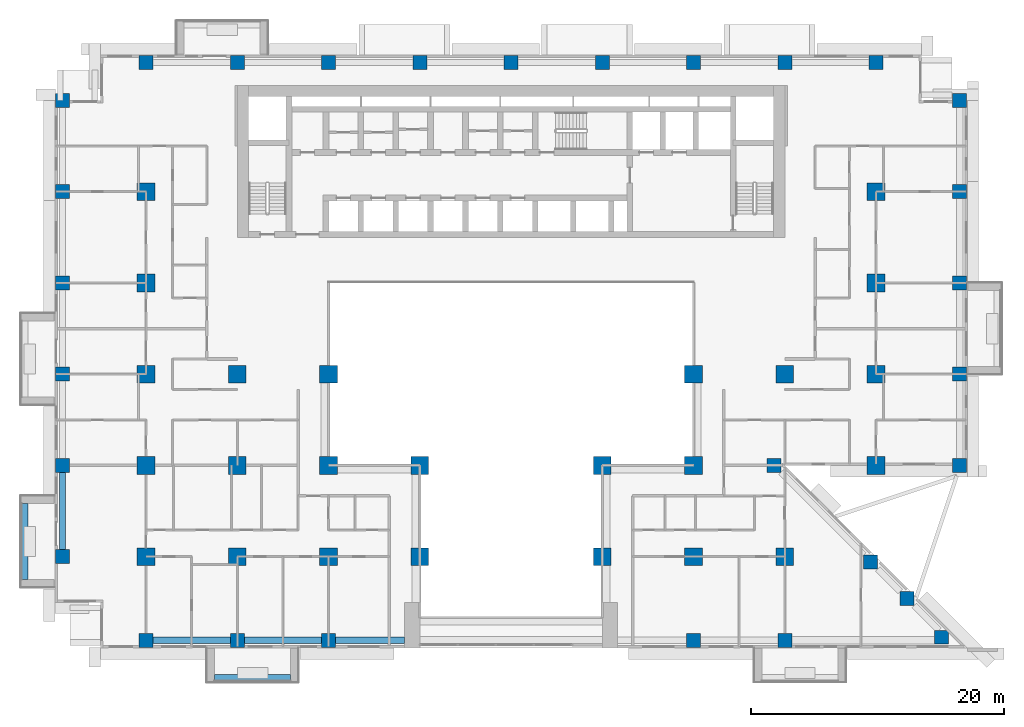
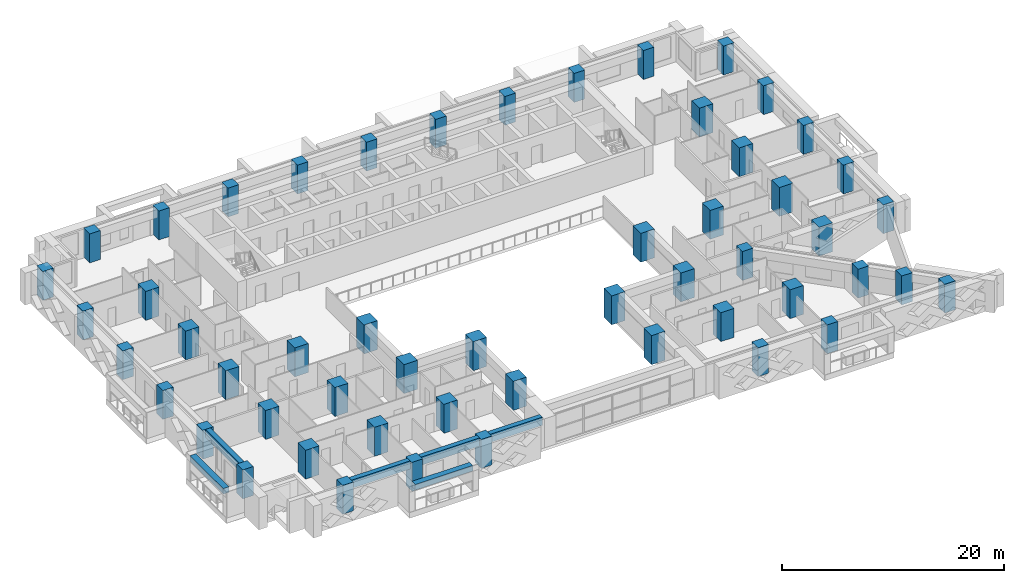
# One storey, part 1 of 17: 53 columns, 6 beams.
"""IFC4 building model written with IfcOpenShell, lengths in metres."""

import ifcopenshell
import ifcopenshell.guid

model = None  # the IFC model being written
_history = None  # IfcOwnerHistory: only IFC2X3 demands one
_inside = {}  # id of a spatial element -> (the spatial element, [elements in it])
_under = {}  # id of a project, library or spatial element -> (it, [spatial elements below it])
_declared = {}  # id of a project -> (the project, [libraries it declares])
_typed = {}  # id of a type object -> (the type object, [elements of that type])
_made_of = {}  # id of a material, layer set ... -> (it, [elements and type objects made of it])


def new_model(schema):
    """Start an empty IFC model of exactly this schema.

    Asked for "IFC4X3", IfcOpenShell would pick the latest addendum, in which some entities
    have other attributes; the version numbers below select the first issue.
    IFC2X3 requires an IfcOwnerHistory on every rooted entity: one is made here for all.
    """
    global model, _history
    if schema == "IFC4X3":
        model = ifcopenshell.file(schema_version=(4, 3, 0, 0))
    else:
        model = ifcopenshell.file(schema=schema)
    _inside.clear()
    _under.clear()
    _declared.clear()
    _typed.clear()
    _made_of.clear()
    _history = None
    if model.schema == "IFC2X3":
        org = make("IfcOrganization", Name="unknown")
        user = make(
            "IfcPersonAndOrganization",
            ThePerson=make("IfcPerson", FamilyName="unknown"),
            TheOrganization=org,
        )
        app = make(
            "IfcApplication",
            ApplicationDeveloper=org,
            Version="unknown",
            ApplicationFullName="unknown",
            ApplicationIdentifier="unknown",
        )
        _history = make(
            "IfcOwnerHistory",
            OwningUser=user,
            OwningApplication=app,
            ChangeAction="ADDED",
            CreationDate=0,
        )
    return model


def make(cls, **values):
    """One entity of the class cls with the attributes given. An attribute that is None is left unset."""
    return model.create_entity(
        cls, **{name: value for name, value in values.items() if value is not None}
    )


def rooted(cls, **values):
    """An entity with a GlobalId (a new one), such as an element, a storey or a relation."""
    return make(cls, GlobalId=ifcopenshell.guid.new(), OwnerHistory=_history, **values)


def si_unit(unit_type, name, prefix=None):
    """IfcSIUnit, for example si_unit("LENGTHUNIT", "METRE", prefix="MILLI")."""
    return make("IfcSIUnit", UnitType=unit_type, Prefix=prefix, Name=name)


def assignment(units):
    """IfcUnitAssignment: the units of a project."""
    return None if units is None else make("IfcUnitAssignment", Units=units)


def point(xyz):
    """IfcCartesianPoint."""
    return None if xyz is None else make("IfcCartesianPoint", Coordinates=xyz)


def direction(xyz):
    """IfcDirection."""
    return None if xyz is None else make("IfcDirection", DirectionRatios=xyz)


def frame(location, z_axis=None, x_axis=None):
    """IfcAxis2Placement3D, a coordinate frame: its origin and axes. An axis left out is left unset."""
    return make(
        "IfcAxis2Placement3D",
        Location=point(location),
        Axis=direction(z_axis),
        RefDirection=direction(x_axis),
    )


def frame_2d(location, x_axis=None):
    """IfcAxis2Placement2D, a coordinate frame in the plane: its origin and x axis."""
    return make(
        "IfcAxis2Placement2D", Location=point(location), RefDirection=direction(x_axis)
    )


def origin():
    """The frame at (0, 0, 0) with its axes left unset."""
    return frame((0.0, 0.0, 0.0))


def origin_2d():
    """The frame at (0, 0) in the plane with its x axis left unset."""
    return frame_2d((0.0, 0.0))


def place(relative_to, where):
    """IfcLocalPlacement: puts the frame where relative to a parent placement (None: the world)."""
    return make(
        "IfcLocalPlacement", PlacementRelTo=relative_to, RelativePlacement=where
    )


def context(
    kind, dimensions, precision=None, world=None, true_north=None, identifier=None
):
    """IfcGeometricRepresentationContext, for example the 3D "Model" context."""
    return make(
        "IfcGeometricRepresentationContext",
        ContextIdentifier=identifier,
        ContextType=kind,
        CoordinateSpaceDimension=dimensions,
        Precision=precision,
        WorldCoordinateSystem=world,
        TrueNorth=true_north,
    )


def subcontext(parent, identifier, kind, view, scale=None):
    """IfcGeometricRepresentationSubContext, for example "Body" below "Model"."""
    return make(
        "IfcGeometricRepresentationSubContext",
        ContextIdentifier=identifier,
        ContextType=kind,
        ParentContext=parent,
        TargetScale=scale,
        TargetView=view,
    )


def project(units=None, contexts=None):
    """IfcProject with its units and contexts."""
    return rooted(
        "IfcProject",
        Name="project",
        RepresentationContexts=contexts,
        UnitsInContext=assignment(units),
    )


def spatial(cls, under=None, at=None, **own):
    """A site, building, storey or space (cls), placed at a placement, below another one or the project."""
    s = rooted(cls, ObjectPlacement=at, **own)
    if under is not None:
        _under.setdefault(under.id(), (under, []))[1].append(s)
    return s


def profile(cls, at=None, kind="AREA", **sizes):
    """A parametric profile (cls). Its sizes go by their IFC names, for example OverallWidth=200.0."""
    return make(cls, ProfileType=kind, Position=at, **sizes)


def rectangle(**sizes):
    """IfcRectangleProfileDef."""
    return profile("IfcRectangleProfileDef", **sizes)


def extrude(swept, where, along, depth):
    """IfcExtrudedAreaSolid: the profile swept, set in the frame where, extruded along a direction by depth."""
    return make(
        "IfcExtrudedAreaSolid",
        SweptArea=swept,
        Position=where,
        ExtrudedDirection=direction(along),
        Depth=depth,
    )


def shape(context_of_items, identifier, shape_type, items):
    """IfcShapeRepresentation: the items that make up one representation, for example the "Body"."""
    return make(
        "IfcShapeRepresentation",
        ContextOfItems=context_of_items,
        RepresentationIdentifier=identifier,
        RepresentationType=shape_type,
        Items=items,
    )


def source(mapping_origin, context_of_items, identifier, shape_type, items):
    """IfcRepresentationMap: a shape defined once, which mapped items show again and again."""
    return make(
        "IfcRepresentationMap",
        MappingOrigin=mapping_origin,
        MappedRepresentation=shape(context_of_items, identifier, shape_type, items),
    )


def transform(
    local_origin,
    x_axis=None,
    y_axis=None,
    z_axis=None,
    scale=None,
    scale2=None,
    scale3=None,
    uniform=True,
):
    """IfcCartesianTransformationOperator3D, or its non-uniform kind. x_axis, y_axis, z_axis: its Axis1, 2, 3."""
    if uniform:
        return make(
            "IfcCartesianTransformationOperator3D",
            Axis1=direction(x_axis),
            Axis2=direction(y_axis),
            LocalOrigin=point(local_origin),
            Scale=scale,
            Axis3=direction(z_axis),
        )
    return make(
        "IfcCartesianTransformationOperator3DnonUniform",
        Axis1=direction(x_axis),
        Axis2=direction(y_axis),
        LocalOrigin=point(local_origin),
        Scale=scale,
        Axis3=direction(z_axis),
        Scale2=scale2,
        Scale3=scale3,
    )


def mapped(mapping_source, mapping_target):
    """IfcMappedItem: shows the shape of a source again, moved by a transform."""
    return make(
        "IfcMappedItem", MappingSource=mapping_source, MappingTarget=mapping_target
    )


def material(Name=None, Category=None):
    """IfcMaterial."""
    return make("IfcMaterial", Name=Name, Category=Category)


def material_profile(
    of_material, cross_section, Name=None, Category=None, Priority=None
):
    """IfcMaterialProfile: a cross section and its material."""
    return make(
        "IfcMaterialProfile",
        Name=Name,
        Material=of_material,
        Profile=cross_section,
        Priority=Priority,
        Category=Category,
    )


def profile_set(profiles, Name=None, composite=None):
    """IfcMaterialProfileSet."""
    return make(
        "IfcMaterialProfileSet",
        Name=Name,
        MaterialProfiles=profiles,
        CompositeProfile=composite,
    )


def made_of(thing, what):
    """Note that an element or type object is made of a material, layer set ...; save() writes the relation."""
    if what is not None:
        _made_of.setdefault(what.id(), (what, []))[1].append(thing)
    return thing


def type_object(cls, material=None, **own):
    """A type object (cls), such as IfcWallType, which elements share."""
    return made_of(rooted(cls, **own), material)


def element(
    cls,
    number,
    at=None,
    inside=None,
    cuts=None,
    type_object=None,
    material=None,
    context=None,
    identifier="Body",
    shape_type=None,
    held_by="IfcProductDefinitionShape",
    body=None,
    shapes=None,
    **own,
):
    """One element of the class cls, such as IfcWall. Its Tag is "e" and its number.

    at: its placement. inside: the storey or other place that contains it. cuts: it is an
    opening in that element (IfcRelVoidsElement). A single representation is given by context,
    identifier, shape_type and body (its items); several are given by shapes. held_by: the class
    of the entity that holds the representations. save() writes the other relations.
    """
    e = rooted(cls, Tag="e%d" % number, ObjectPlacement=at, **own)
    if body is not None:
        shapes = [shape(context, identifier, shape_type, body)]
    if shapes is not None:
        e.Representation = make(held_by, Representations=shapes)
    if inside is not None:
        _inside.setdefault(inside.id(), (inside, []))[1].append(e)
    if cuts is not None:
        rooted(
            "IfcRelVoidsElement", RelatingBuildingElement=cuts, RelatedOpeningElement=e
        )
    if type_object is not None:
        _typed.setdefault(type_object.id(), (type_object, []))[1].append(e)
    return made_of(e, material)


def aggregate(whole, parts):
    """IfcRelAggregates: a whole, such as a stair, and the parts it consists of."""
    return rooted("IfcRelAggregates", RelatingObject=whole, RelatedObjects=parts)


def save(model, path):
    """Write the relations noted so far, then the file.

    IfcRelAggregates (storeys below a building ...), IfcRelContainedInSpatialStructure (elements
    in a storey), IfcRelDefinesByType, IfcRelAssociatesMaterial and IfcRelDeclares: one each for
    every whole, place, type object, material and project.
    """
    for whole, parts in _under.values():
        aggregate(whole, parts)
    for where, things in _inside.values():
        rooted(
            "IfcRelContainedInSpatialStructure",
            RelatedElements=things,
            RelatingStructure=where,
        )
    for kind, things in _typed.values():
        rooted("IfcRelDefinesByType", RelatedObjects=things, RelatingType=kind)
    for what, things in _made_of.values():
        rooted("IfcRelAssociatesMaterial", RelatedObjects=things, RelatingMaterial=what)
    for by, libraries in _declared.values():
        rooted("IfcRelDeclares", RelatingContext=by, RelatedDefinitions=libraries)
    model.write(path)


model = new_model("IFC4")

# Units and contexts
model_context = context("Model", 3, precision=1e-05, world=origin(), true_north=direction((0.0, 1.0)))
body_context = subcontext(model_context, "Body", "Model", "MODEL_VIEW")
ifc_project = project(units=[si_unit("LENGTHUNIT", "METRE"), si_unit("AREAUNIT", "SQUARE_METRE"), si_unit("VOLUMEUNIT", "CUBIC_METRE"), si_unit("PLANEANGLEUNIT", "RADIAN"), si_unit("MASSUNIT", "GRAM", prefix="KILO")], contexts=[model_context])

# Site, building, storey
site_placement = place(None, origin())
site = spatial("IfcSite", under=ifc_project, at=site_placement, CompositionType="ELEMENT")
building_placement = place(site_placement, origin())
building = spatial("IfcBuilding", under=site, at=building_placement, Name="Saffron Iwan Residences", CompositionType="ELEMENT")
storey_placement = place(building_placement, frame((0.0, 0.0, 51.5)))
storey = spatial("IfcBuildingStorey", under=building, at=storey_placement, Name="L12", CompositionType="ELEMENT", Elevation=51.5)

# Columns
ifc_material_1 = material(Name="Concrete C60/75", Category="concrete")
ifc_material_profile_1 = material_profile(ifc_material_1, rectangle(XDim=1.10009765625, YDim=1.10009765625, at=origin_2d()), Name="RC 1100x1100")
ifc_profile_set_1 = profile_set([ifc_material_profile_1], Name="Concrete C60/75")
column_type_1 = type_object("IfcColumnType", Name="COL RC 1100x1100 C60/75 3180 HIGH", PredefinedType="COLUMN", material=ifc_profile_set_1)
shared_shape_1 = source(origin(), body_context, "Body", "SweptSolid", [
    extrude(rectangle(XDim=1.10009765625, YDim=1.10009765625, at=origin_2d()), origin(), (0.0, 0.0, 1.0), 3.179931640625),
])
for number, where, z_axis, x_axis, name in (
    (1, (21.60009765625, 34.199951171875, 0.0), (0.0, 0.0, 1.0), (1.0, 0.0, 0.0), "Column C038"),
    (2, (28.800048828125, 34.199951171875, 0.0), (0.0, 0.0, 1.0), (1.0, 0.0, 0.0), "Column C039"),
    (3, (36.0, 34.199951171875, 0.0), (0.0, 0.0, 1.0), (1.0, 0.0, 0.0), "Column C040"),
    (4, (64.800048828125, 34.199951171875, 0.0), (0.0, 0.0, 1.0), (1.0, 0.0, 0.0), "Column C041"),
    (5, (72.0, 34.199951171875, 0.0), (0.0, 0.0, 1.0), (1.0, 0.0, 0.0), "Column C042"),
    (6, (84.367431640625, 34.44189453125, 0.0), (0.0, 0.0, 1.0), (1.0, 0.0, 0.0), "Column C043"),
    (7, (81.65576171875, 37.49560546875, 0.0), (0.0, 0.0, 1.0), (1.0, 0.0, 0.0), "Column C044"),
    (8, (78.775634765625, 40.375732421875, 0.0), (0.0, 0.0, 1.0), (1.0, 0.0, 0.0), "Column C047"),
    (9, (15.0, 40.800048828125, 0.0), (0.0, 0.0, 1.0), (1.0, 0.0, 0.0), "Column C048"),
    (10, (15.0, 48.0, 0.0), (0.0, 0.0, 1.0), (1.0, 0.0, 0.0), "Column C061"),
    (11, (71.14990234375, 48.0, 0.0), (0.0, 0.0, 1.0), (1.0, 0.0, 0.0), "Column C070"),
    (12, (85.800048828125, 48.0, 0.0), (0.0, 0.0, 1.0), (1.0, 0.0, 0.0), "Column C074"),
    (13, (15.0, 55.199951171875, 0.0), (0.0, 0.0, 1.0), (1.0, 0.0, 0.0), "Column C077"),
    (14, (85.800048828125, 55.199951171875, 0.0), (0.0, 0.0, 1.0), (1.0, 0.0, 0.0), "Column C086"),
    (15, (15.0, 62.39990234375, 0.0), (0.0, 0.0, 1.0), (1.0, 0.0, 0.0), "Column C089"),
    (16, (85.800048828125, 62.39990234375, 0.0), (0.0, 0.0, 1.0), (1.0, 0.0, 0.0), "Column C094"),
    (17, (15.0, 69.60009765625, 0.0), (0.0, 0.0, 1.0), (1.0, 0.0, 0.0), "Column C097"),
    (18, (85.800048828125, 69.60009765625, 0.0), (0.0, 0.0, 1.0), (1.0, 0.0, 0.0), "Column C102"),
    (19, (15.0, 76.800048828125, 0.0), (0.0, 0.0, 1.0), (1.0, 0.0, 0.0), "Column C105"),
    (20, (85.800048828125, 76.800048828125, 0.0), (0.0, 0.0, 1.0), (1.0, 0.0, 0.0), "Column C110"),
    (21, (21.60009765625, 79.800048828125, 0.0), (0.0, 0.0, 1.0), (1.0, 0.0, 0.0), "Column C113"),
    (22, (28.800048828125, 79.800048828125, 0.0), (0.0, 0.0, 1.0), (1.0, 0.0, 0.0), "Column C115"),
    (23, (36.0, 79.800048828125, 0.0), (0.0, 0.0, 1.0), (1.0, 0.0, 0.0), "Column C116"),
    (24, (43.199951171875, 79.800048828125, 0.0), (0.0, 0.0, 1.0), (1.0, 0.0, 0.0), "Column C117"),
    (25, (50.39990234375, 79.800048828125, 0.0), (0.0, 0.0, 1.0), (1.0, 0.0, 0.0), "Column C118"),
    (26, (57.60009765625, 79.800048828125, 0.0), (0.0, 0.0, 1.0), (1.0, 0.0, 0.0), "Column C119"),
    (27, (64.800048828125, 79.800048828125, 0.0), (0.0, 0.0, 1.0), (1.0, 0.0, 0.0), "Column C120"),
    (28, (72.0, 79.800048828125, 0.0), (0.0, 0.0, 1.0), (1.0, 0.0, 0.0), "Column C121"),
    (29, (79.199951171875, 79.800048828125, 0.0), (0.0, 0.0, 1.0), (1.0, 0.0, 0.0), "Column C123"),
):
    element("IfcColumn", number, at=place(storey_placement, frame(where, z_axis=z_axis, x_axis=x_axis)), inside=storey, type_object=column_type_1, Name=name, PredefinedType="COLUMN", context=body_context, shape_type="MappedRepresentation", body=[
        mapped(shared_shape_1, transform((0.0, 0.0, 0.0))),
    ])
ifc_material_profile_2 = material_profile(ifc_material_1, rectangle(XDim=1.39990234375, YDim=1.39990234375, at=origin_2d()), Name="RC 1400x1400")
ifc_profile_set_2 = profile_set([ifc_material_profile_2], Name="Concrete C60/75")
column_type_2 = type_object("IfcColumnType", Name="COL RC 1400x1400 C60/75 3180 HIGH", PredefinedType="COLUMN", material=ifc_profile_set_2)
shared_shape_2 = source(origin(), body_context, "Body", "SweptSolid", [
    extrude(rectangle(XDim=1.39990234375, YDim=1.39990234375, at=origin_2d()), origin(), (0.0, 0.0, 1.0), 3.179931640625),
])
for number, where, z_axis, x_axis, name in (
    (30, (21.60009765625, 40.800048828125, 0.0), (0.0, 0.0, 1.0), (1.0, 0.0, 0.0), "Column C049"),
    (31, (28.800048828125, 40.800048828125, 0.0), (0.0, 0.0, 1.0), (1.0, 0.0, 0.0), "Column C051"),
    (32, (36.0, 40.800048828125, 0.0), (0.0, 0.0, 1.0), (1.0, 0.0, 0.0), "Column C052"),
    (33, (43.199951171875, 40.800048828125, 0.0), (0.0, 0.0, 1.0), (1.0, 0.0, 0.0), "Column C053"),
    (34, (57.60009765625, 40.800048828125, 0.0), (0.0, 0.0, 1.0), (1.0, 0.0, 0.0), "Column C054"),
    (35, (64.800048828125, 40.800048828125, 0.0), (0.0, 0.0, 1.0), (1.0, 0.0, 0.0), "Column C055"),
    (36, (72.0, 40.800048828125, 0.0), (0.0, 0.0, 1.0), (1.0, 0.0, 0.0), "Column C056"),
    (37, (21.60009765625, 48.0, 0.0), (0.0, 0.0, 1.0), (1.0, 0.0, 0.0), "Column C063"),
    (38, (28.800048828125, 48.0, 0.0), (0.0, 0.0, 1.0), (1.0, 0.0, 0.0), "Column C064"),
    (39, (36.0, 48.0, 0.0), (0.0, 0.0, 1.0), (1.0, 0.0, 0.0), "Column C065"),
    (40, (43.199951171875, 48.0, 0.0), (0.0, 0.0, 1.0), (1.0, 0.0, 0.0), "Column C066"),
    (41, (57.60009765625, 48.0, 0.0), (0.0, 0.0, 1.0), (1.0, 0.0, 0.0), "Column C068"),
    (42, (64.800048828125, 48.0, 0.0), (0.0, 0.0, 1.0), (1.0, 0.0, 0.0), "Column C069"),
    (43, (79.199951171875, 48.0, 0.0), (0.0, 0.0, 1.0), (1.0, 0.0, 0.0), "Column C072"),
    (44, (21.60009765625, 55.199951171875, 0.0), (0.0, 0.0, 1.0), (1.0, 0.0, 0.0), "Column C079"),
    (45, (28.800048828125, 55.199951171875, 0.0), (0.0, 0.0, 1.0), (1.0, 0.0, 0.0), "Column C080"),
    (46, (36.0, 55.199951171875, 0.0), (0.0, 0.0, 1.0), (1.0, 0.0, 0.0), "Column C081"),
    (47, (64.800048828125, 55.199951171875, 0.0), (0.0, 0.0, 1.0), (1.0, 0.0, 0.0), "Column C082"),
    (48, (72.0, 55.199951171875, 0.0), (0.0, 0.0, 1.0), (1.0, 0.0, 0.0), "Column C083"),
    (49, (79.199951171875, 55.199951171875, 0.0), (0.0, 0.0, 1.0), (1.0, 0.0, 0.0), "Column C084"),
    (50, (21.60009765625, 62.39990234375, 0.0), (0.0, 0.0, 1.0), (1.0, 0.0, 0.0), "Column C091"),
    (51, (79.199951171875, 62.39990234375, 0.0), (0.0, 0.0, 1.0), (1.0, 0.0, 0.0), "Column C092"),
    (52, (21.60009765625, 69.60009765625, 0.0), (0.0, 0.0, 1.0), (1.0, 0.0, 0.0), "Column C099"),
    (53, (79.199951171875, 69.60009765625, 0.0), (0.0, 0.0, 1.0), (1.0, 0.0, 0.0), "Column C100"),
):
    element("IfcColumn", number, at=place(storey_placement, frame(where, z_axis=z_axis, x_axis=x_axis)), inside=storey, type_object=column_type_2, Name=name, PredefinedType="COLUMN", context=body_context, shape_type="MappedRepresentation", body=[
        mapped(shared_shape_2, transform((0.0, 0.0, 0.0))),
    ])

# Beams
ifc_material_profile_3 = material_profile(ifc_material_1, rectangle(XDim=0.5, YDim=0.89990234375, at=origin_2d()), Name="RC 500x900")
ifc_profile_set_3 = profile_set([ifc_material_profile_3], Name="Concrete C60/75")
beam_type_1 = type_object("IfcBeamType", Name="SPANDREL BEAM RC 500x900 C60/75 TOP 3180", PredefinedType="SPANDREL", material=ifc_profile_set_3)
shared_shape_3 = source(origin(), body_context, "Body", "SweptSolid", [
    extrude(rectangle(XDim=0.5, YDim=0.89990234375, at=origin_2d()), origin(), (0.0, 0.0, 1.0), 6.10009765625),
])
beam_1_placement = place(storey_placement, frame((28.25, 34.199951171875, 2.72998046875), z_axis=(-1.0, 0.0, 0.0), x_axis=(0.0, -1.0, 0.0)))
element("IfcBeam", 54, at=beam_1_placement, inside=storey, type_object=beam_type_1, Name="Spandrel beam", PredefinedType="SPANDREL", context=body_context, shape_type="MappedRepresentation", body=[
    mapped(shared_shape_3, transform((0.0, 0.0, 0.0))),
])
shared_shape_4 = source(origin(), body_context, "Body", "SweptSolid", [
    extrude(rectangle(XDim=0.5, YDim=0.89990234375, at=origin_2d()), origin(), (0.0, 0.0, 1.0), 6.099853515625),
])
for number, where, z_axis, x_axis, name in (
    (55, (35.449951171875, 34.199951171875, 2.72998046875), (-1.0, 0.0, 0.0), (0.0, -1.0, 0.0), "Spandrel beam"),
    (56, (15.0, 41.35009765625, 2.72998046875), (0.0, 1.0, 0.0), (-1.0, 0.0, 0.0), "Spandrel beam"),
):
    element("IfcBeam", number, at=place(storey_placement, frame(where, z_axis=z_axis, x_axis=x_axis)), inside=storey, type_object=beam_type_1, Name=name, PredefinedType="SPANDREL", context=body_context, shape_type="MappedRepresentation", body=[
        mapped(shared_shape_4, transform((0.0, 0.0, 0.0))),
    ])
shared_shape_5 = source(origin(), body_context, "Body", "SweptSolid", [
    extrude(rectangle(XDim=0.5, YDim=0.89990234375, at=origin_2d()), origin(), (0.0, 0.0, 1.0), 5.449951171875),
])
beam_2_placement = place(storey_placement, frame((42.0, 34.199951171875, 2.72998046875), z_axis=(-1.0, 0.0, 0.0), x_axis=(0.0, -1.0, 0.0)))
element("IfcBeam", 57, at=beam_2_placement, inside=storey, type_object=beam_type_1, Name="Spandrel beam", PredefinedType="SPANDREL", context=body_context, shape_type="MappedRepresentation", body=[
    mapped(shared_shape_5, transform((0.0, 0.0, 0.0))),
])
ifc_material_2 = material(Name="Concrete C50/60 white painted", Category="concrete")
ifc_material_profile_4 = material_profile(ifc_material_2, rectangle(XDim=0.60009765625, YDim=0.60009765625, at=origin_2d()), Name="BALCONY FASCIA BEAM 600 x 600")
ifc_profile_set_4 = profile_set([ifc_material_profile_4], Name="Concrete C50/60 white painted")
beam_type_2 = type_object("IfcBeamType", Name="BALCONY FASCIA BEAM 600 x 600", PredefinedType="BEAM", material=ifc_profile_set_4)
shared_shape_6 = source(origin(), body_context, "Body", "SweptSolid", [
    extrude(rectangle(XDim=0.60009765625, YDim=0.60009765625, at=origin_2d()), origin(), (0.0, 0.0, 1.0), 6.0),
])
for number, where, z_axis, x_axis, name in (
    (58, (12.0, 45.0, 2.550048828125), (0.0, -1.0, 0.0), (1.0, 0.0, 0.0), "Balcony fascia beam L12 F8-2"),
    (59, (27.0, 31.199951171875, 2.550048828125), (1.0, 0.0, 0.0), (0.0, 1.0, 0.0), "Balcony fascia beam L12 11-0"),
):
    element("IfcBeam", number, at=place(storey_placement, frame(where, z_axis=z_axis, x_axis=x_axis)), inside=storey, type_object=beam_type_2, Name=name, PredefinedType="BEAM", context=body_context, shape_type="MappedRepresentation", body=[
        mapped(shared_shape_6, transform((0.0, 0.0, 0.0))),
    ])

save(model, "model.ifc")
